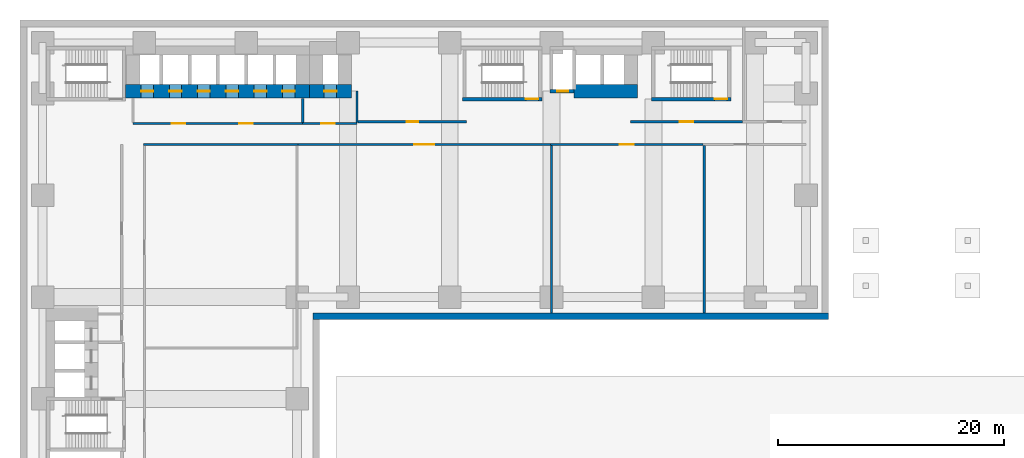
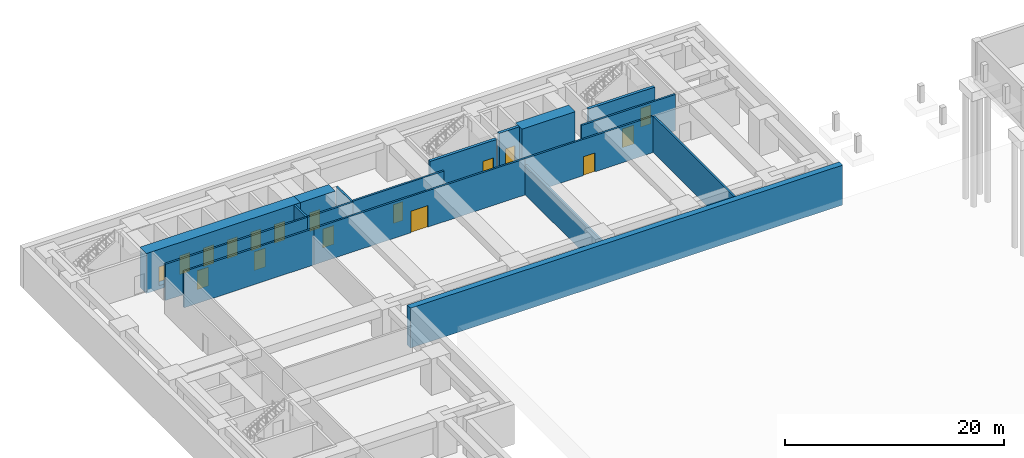
# One storey, part 5 of 12: 18 walls, 17 doors, 17 openings.
"""IFC4 building model written with IfcOpenShell, lengths in metres."""

import ifcopenshell
import ifcopenshell.guid

model = None  # the IFC model being written
_history = None  # IfcOwnerHistory: only IFC2X3 demands one
_inside = {}  # id of a spatial element -> (the spatial element, [elements in it])
_under = {}  # id of a project, library or spatial element -> (it, [spatial elements below it])
_declared = {}  # id of a project -> (the project, [libraries it declares])
_typed = {}  # id of a type object -> (the type object, [elements of that type])
_made_of = {}  # id of a material, layer set ... -> (it, [elements and type objects made of it])


def new_model(schema):
    """Start an empty IFC model of exactly this schema.

    Asked for "IFC4X3", IfcOpenShell would pick the latest addendum, in which some entities
    have other attributes; the version numbers below select the first issue.
    IFC2X3 requires an IfcOwnerHistory on every rooted entity: one is made here for all.
    """
    global model, _history
    if schema == "IFC4X3":
        model = ifcopenshell.file(schema_version=(4, 3, 0, 0))
    else:
        model = ifcopenshell.file(schema=schema)
    _inside.clear()
    _under.clear()
    _declared.clear()
    _typed.clear()
    _made_of.clear()
    _history = None
    if model.schema == "IFC2X3":
        org = make("IfcOrganization", Name="unknown")
        user = make(
            "IfcPersonAndOrganization",
            ThePerson=make("IfcPerson", FamilyName="unknown"),
            TheOrganization=org,
        )
        app = make(
            "IfcApplication",
            ApplicationDeveloper=org,
            Version="unknown",
            ApplicationFullName="unknown",
            ApplicationIdentifier="unknown",
        )
        _history = make(
            "IfcOwnerHistory",
            OwningUser=user,
            OwningApplication=app,
            ChangeAction="ADDED",
            CreationDate=0,
        )
    return model


def make(cls, **values):
    """One entity of the class cls with the attributes given. An attribute that is None is left unset."""
    return model.create_entity(
        cls, **{name: value for name, value in values.items() if value is not None}
    )


def rooted(cls, **values):
    """An entity with a GlobalId (a new one), such as an element, a storey or a relation."""
    return make(cls, GlobalId=ifcopenshell.guid.new(), OwnerHistory=_history, **values)


def si_unit(unit_type, name, prefix=None):
    """IfcSIUnit, for example si_unit("LENGTHUNIT", "METRE", prefix="MILLI")."""
    return make("IfcSIUnit", UnitType=unit_type, Prefix=prefix, Name=name)


def assignment(units):
    """IfcUnitAssignment: the units of a project."""
    return None if units is None else make("IfcUnitAssignment", Units=units)


def point(xyz):
    """IfcCartesianPoint."""
    return None if xyz is None else make("IfcCartesianPoint", Coordinates=xyz)


def direction(xyz):
    """IfcDirection."""
    return None if xyz is None else make("IfcDirection", DirectionRatios=xyz)


def frame(location, z_axis=None, x_axis=None):
    """IfcAxis2Placement3D, a coordinate frame: its origin and axes. An axis left out is left unset."""
    return make(
        "IfcAxis2Placement3D",
        Location=point(location),
        Axis=direction(z_axis),
        RefDirection=direction(x_axis),
    )


def frame_2d(location, x_axis=None):
    """IfcAxis2Placement2D, a coordinate frame in the plane: its origin and x axis."""
    return make(
        "IfcAxis2Placement2D", Location=point(location), RefDirection=direction(x_axis)
    )


def origin():
    """The frame at (0, 0, 0) with its axes left unset."""
    return frame((0.0, 0.0, 0.0))


def place(relative_to, where):
    """IfcLocalPlacement: puts the frame where relative to a parent placement (None: the world)."""
    return make(
        "IfcLocalPlacement", PlacementRelTo=relative_to, RelativePlacement=where
    )


def context(
    kind, dimensions, precision=None, world=None, true_north=None, identifier=None
):
    """IfcGeometricRepresentationContext, for example the 3D "Model" context."""
    return make(
        "IfcGeometricRepresentationContext",
        ContextIdentifier=identifier,
        ContextType=kind,
        CoordinateSpaceDimension=dimensions,
        Precision=precision,
        WorldCoordinateSystem=world,
        TrueNorth=true_north,
    )


def subcontext(parent, identifier, kind, view, scale=None):
    """IfcGeometricRepresentationSubContext, for example "Body" below "Model"."""
    return make(
        "IfcGeometricRepresentationSubContext",
        ContextIdentifier=identifier,
        ContextType=kind,
        ParentContext=parent,
        TargetScale=scale,
        TargetView=view,
    )


def project(units=None, contexts=None):
    """IfcProject with its units and contexts."""
    return rooted(
        "IfcProject",
        Name="project",
        RepresentationContexts=contexts,
        UnitsInContext=assignment(units),
    )


def spatial(cls, under=None, at=None, **own):
    """A site, building, storey or space (cls), placed at a placement, below another one or the project."""
    s = rooted(cls, ObjectPlacement=at, **own)
    if under is not None:
        _under.setdefault(under.id(), (under, []))[1].append(s)
    return s


def profile(cls, at=None, kind="AREA", **sizes):
    """A parametric profile (cls). Its sizes go by their IFC names, for example OverallWidth=200.0."""
    return make(cls, ProfileType=kind, Position=at, **sizes)


def rectangle(**sizes):
    """IfcRectangleProfileDef."""
    return profile("IfcRectangleProfileDef", **sizes)


def extrude(swept, where, along, depth):
    """IfcExtrudedAreaSolid: the profile swept, set in the frame where, extruded along a direction by depth."""
    return make(
        "IfcExtrudedAreaSolid",
        SweptArea=swept,
        Position=where,
        ExtrudedDirection=direction(along),
        Depth=depth,
    )


def shape(context_of_items, identifier, shape_type, items):
    """IfcShapeRepresentation: the items that make up one representation, for example the "Body"."""
    return make(
        "IfcShapeRepresentation",
        ContextOfItems=context_of_items,
        RepresentationIdentifier=identifier,
        RepresentationType=shape_type,
        Items=items,
    )


def material(Name=None, Category=None):
    """IfcMaterial."""
    return make("IfcMaterial", Name=Name, Category=Category)


def layer(
    of_material, thickness, ventilated=None, Name=None, Category=None, Priority=None
):
    """IfcMaterialLayer: one layer of a wall or slab, of a material (None: an air gap)."""
    return make(
        "IfcMaterialLayer",
        Material=of_material,
        LayerThickness=thickness,
        IsVentilated=ventilated,
        Name=Name,
        Category=Category,
        Priority=Priority,
    )


def layer_set(layers, Name=None):
    """IfcMaterialLayerSet."""
    return make("IfcMaterialLayerSet", MaterialLayers=layers, LayerSetName=Name)


def made_of(thing, what):
    """Note that an element or type object is made of a material, layer set ...; save() writes the relation."""
    if what is not None:
        _made_of.setdefault(what.id(), (what, []))[1].append(thing)
    return thing


def type_object(cls, material=None, **own):
    """A type object (cls), such as IfcWallType, which elements share."""
    return made_of(rooted(cls, **own), material)


def element(
    cls,
    number,
    at=None,
    inside=None,
    cuts=None,
    type_object=None,
    material=None,
    context=None,
    identifier="Body",
    shape_type=None,
    held_by="IfcProductDefinitionShape",
    body=None,
    shapes=None,
    **own,
):
    """One element of the class cls, such as IfcWall. Its Tag is "e" and its number.

    at: its placement. inside: the storey or other place that contains it. cuts: it is an
    opening in that element (IfcRelVoidsElement). A single representation is given by context,
    identifier, shape_type and body (its items); several are given by shapes. held_by: the class
    of the entity that holds the representations. save() writes the other relations.
    """
    e = rooted(cls, Tag="e%d" % number, ObjectPlacement=at, **own)
    if body is not None:
        shapes = [shape(context, identifier, shape_type, body)]
    if shapes is not None:
        e.Representation = make(held_by, Representations=shapes)
    if inside is not None:
        _inside.setdefault(inside.id(), (inside, []))[1].append(e)
    if cuts is not None:
        rooted(
            "IfcRelVoidsElement", RelatingBuildingElement=cuts, RelatedOpeningElement=e
        )
    if type_object is not None:
        _typed.setdefault(type_object.id(), (type_object, []))[1].append(e)
    return made_of(e, material)


def fill(opening, filler):
    """IfcRelFillsElement: the door or window that sits in an opening."""
    return rooted(
        "IfcRelFillsElement",
        RelatingOpeningElement=opening,
        RelatedBuildingElement=filler,
    )


def aggregate(whole, parts):
    """IfcRelAggregates: a whole, such as a stair, and the parts it consists of."""
    return rooted("IfcRelAggregates", RelatingObject=whole, RelatedObjects=parts)


def save(model, path):
    """Write the relations noted so far, then the file.

    IfcRelAggregates (storeys below a building ...), IfcRelContainedInSpatialStructure (elements
    in a storey), IfcRelDefinesByType, IfcRelAssociatesMaterial and IfcRelDeclares: one each for
    every whole, place, type object, material and project.
    """
    for whole, parts in _under.values():
        aggregate(whole, parts)
    for where, things in _inside.values():
        rooted(
            "IfcRelContainedInSpatialStructure",
            RelatedElements=things,
            RelatingStructure=where,
        )
    for kind, things in _typed.values():
        rooted("IfcRelDefinesByType", RelatedObjects=things, RelatingType=kind)
    for what, things in _made_of.values():
        rooted("IfcRelAssociatesMaterial", RelatedObjects=things, RelatingMaterial=what)
    for by, libraries in _declared.values():
        rooted("IfcRelDeclares", RelatingContext=by, RelatedDefinitions=libraries)
    model.write(path)


model = new_model("IFC4")

# Units and contexts
model_context = context("Model", 3, precision=1e-05, world=origin(), true_north=direction((0.0, 1.0)))
body_context = subcontext(model_context, "Body", "Model", "MODEL_VIEW")
ifc_project = project(units=[si_unit("LENGTHUNIT", "METRE"), si_unit("AREAUNIT", "SQUARE_METRE"), si_unit("VOLUMEUNIT", "CUBIC_METRE"), si_unit("PLANEANGLEUNIT", "RADIAN"), si_unit("MASSUNIT", "GRAM", prefix="KILO")], contexts=[model_context])

# Site, building, storey
site_placement = place(None, origin())
site = spatial("IfcSite", under=ifc_project, at=site_placement, CompositionType="ELEMENT")
building_placement = place(site_placement, origin())
building = spatial("IfcBuilding", under=site, at=building_placement, Name="Firuza Court", CompositionType="ELEMENT")
storey_placement = place(building_placement, frame((0.0, 0.0, -4.5)))
storey = spatial("IfcBuildingStorey", under=building, at=storey_placement, Name="B1", CompositionType="ELEMENT", Elevation=-4.5)

# Wall, openings, doors
ifc_material_1 = material(Name="Concrete C35/45", Category="concrete")
ifc_layer_1 = layer(ifc_material_1, 1.199951171875)
ifc_layer_set_1 = layer_set([ifc_layer_1], Name="Concrete C35/45")
wall_type_1 = type_object("IfcWallType", Name="Basement core wall 1200", PredefinedType="SHEAR", material=ifc_layer_set_1)
wall_1_placement = place(storey_placement, frame((7.35009765625, 54.199951171875, -0.39990234375), z_axis=(0.0, 0.0, 1.0), x_axis=(1.0, 0.0, 0.0)))
wall_1 = element("IfcWall", 1, at=wall_1_placement, inside=storey, type_object=wall_type_1, Name="Core wall B1 016", PredefinedType="SHEAR", context=body_context, shape_type="SweptSolid", body=[
    extrude(rectangle(XDim=16.25, YDim=1.199951171875, at=frame_2d((8.125, 0.0))), origin(), (0.0, 0.0, 1.0), 4.449951171875),
])
opening_1_placement = place(wall_1_placement, frame((1.35009765625, 0.0, 0.39990234375)))
opening_1 = element("IfcOpeningElement", 2, at=opening_1_placement, cuts=wall_1, Name="Opening LD-LB1-B1", PredefinedType="OPENING", context=body_context, shape_type="SweptSolid", body=[
    extrude(rectangle(XDim=1.10009765625, YDim=2.10009765625, at=frame_2d((0.550048828125, 1.050048828125))), frame((0.0, 0.61181640625, 0.0), z_axis=(0.0, -1.0, 0.0), x_axis=(1.0, 0.0, 0.0)), (0.0, 0.0, 1.0), 1.223876953125),
])
opening_2_placement = place(wall_1_placement, frame((3.85009765625, 0.0, 0.39990234375)))
opening_2 = element("IfcOpeningElement", 3, at=opening_2_placement, cuts=wall_1, Name="Opening LD-LB2-B1", PredefinedType="OPENING", context=body_context, shape_type="SweptSolid", body=[
    extrude(rectangle(XDim=1.10009765625, YDim=2.10009765625, at=frame_2d((0.550048828125, 1.050048828125))), frame((0.0, 0.61181640625, 0.0), z_axis=(0.0, -1.0, 0.0), x_axis=(1.0, 0.0, 0.0)), (0.0, 0.0, 1.0), 1.223876953125),
])
opening_3_placement = place(wall_1_placement, frame((6.35009765625, 0.0, 0.39990234375)))
opening_3 = element("IfcOpeningElement", 4, at=opening_3_placement, cuts=wall_1, Name="Opening LD-LB3-B1", PredefinedType="OPENING", context=body_context, shape_type="SweptSolid", body=[
    extrude(rectangle(XDim=1.10009765625, YDim=2.10009765625, at=frame_2d((0.550048828125, 1.050048828125))), frame((0.0, 0.61181640625, 0.0), z_axis=(0.0, -1.0, 0.0), x_axis=(1.0, 0.0, 0.0)), (0.0, 0.0, 1.0), 1.223876953125),
])
opening_4_placement = place(wall_1_placement, frame((8.85009765625, 0.0, 0.39990234375)))
opening_4 = element("IfcOpeningElement", 5, at=opening_4_placement, cuts=wall_1, Name="Opening LD-LB4-B1", PredefinedType="OPENING", context=body_context, shape_type="SweptSolid", body=[
    extrude(rectangle(XDim=1.10009765625, YDim=2.10009765625, at=frame_2d((0.550048828125, 1.050048828125))), frame((0.0, 0.61181640625, 0.0), z_axis=(0.0, -1.0, 0.0), x_axis=(1.0, 0.0, 0.0)), (0.0, 0.0, 1.0), 1.223876953125),
])
opening_5_placement = place(wall_1_placement, frame((11.35009765625, 0.0, 0.39990234375)))
opening_5 = element("IfcOpeningElement", 6, at=opening_5_placement, cuts=wall_1, Name="Opening LD-LB5-B1", PredefinedType="OPENING", context=body_context, shape_type="SweptSolid", body=[
    extrude(rectangle(XDim=1.10009765625, YDim=2.10009765625, at=frame_2d((0.550048828125, 1.050048828125))), frame((0.0, 0.61181640625, 0.0), z_axis=(0.0, -1.0, 0.0), x_axis=(1.0, 0.0, 0.0)), (0.0, 0.0, 1.0), 1.223876953125),
])
opening_6_placement = place(wall_1_placement, frame((13.85009765625, 0.0, 0.39990234375)))
opening_6 = element("IfcOpeningElement", 7, at=opening_6_placement, cuts=wall_1, Name="Opening LD-LB6-B1", PredefinedType="OPENING", context=body_context, shape_type="SweptSolid", body=[
    extrude(rectangle(XDim=1.10009765625, YDim=2.10009765625, at=frame_2d((0.550048828125, 1.050048828125))), frame((0.0, 0.61181640625, 0.0), z_axis=(0.0, -1.0, 0.0), x_axis=(1.0, 0.0, 0.0)), (0.0, 0.0, 1.0), 1.223876953125),
])
ifc_material_2 = material(Name="Stainless steel 1.4301 door leaf", Category="steel")
door_type_1 = type_object("IfcDoorType", Name="Lift landing door 1100", OperationType="SLIDING_TO_LEFT", PredefinedType="DOOR", material=ifc_material_2)
door_1_placement = place(opening_1_placement, origin())
door_1 = element("IfcDoor", 8, at=door_1_placement, inside=storey, type_object=door_type_1, Name="Landing door LB1", OperationType="SLIDING_TO_LEFT", OverallHeight=2.10009765625, OverallWidth=1.10009765625, PredefinedType="DOOR", context=body_context, shape_type="SweptSolid", body=[
    extrude(rectangle(XDim=1.10009765625, YDim=2.10009765625, at=frame_2d((0.550048828125, 1.050048828125))), frame((0.0, 0.02490234375, 0.0), z_axis=(0.0, -1.0, 0.0), x_axis=(1.0, 0.0, 0.0)), (0.0, 0.0, 1.0), 0.050048828125),
])
fill(opening_1, door_1)
door_2_placement = place(opening_2_placement, origin())
door_2 = element("IfcDoor", 9, at=door_2_placement, inside=storey, type_object=door_type_1, Name="Landing door LB2", OperationType="SLIDING_TO_LEFT", OverallHeight=2.10009765625, OverallWidth=1.10009765625, PredefinedType="DOOR", context=body_context, shape_type="SweptSolid", body=[
    extrude(rectangle(XDim=1.10009765625, YDim=2.10009765625, at=frame_2d((0.550048828125, 1.050048828125))), frame((0.0, 0.02490234375, 0.0), z_axis=(0.0, -1.0, 0.0), x_axis=(1.0, 0.0, 0.0)), (0.0, 0.0, 1.0), 0.050048828125),
])
fill(opening_2, door_2)
door_3_placement = place(opening_3_placement, origin())
door_3 = element("IfcDoor", 10, at=door_3_placement, inside=storey, type_object=door_type_1, Name="Landing door LB3", OperationType="SLIDING_TO_LEFT", OverallHeight=2.10009765625, OverallWidth=1.10009765625, PredefinedType="DOOR", context=body_context, shape_type="SweptSolid", body=[
    extrude(rectangle(XDim=1.10009765625, YDim=2.10009765625, at=frame_2d((0.550048828125, 1.050048828125))), frame((0.0, 0.02490234375, 0.0), z_axis=(0.0, -1.0, 0.0), x_axis=(1.0, 0.0, 0.0)), (0.0, 0.0, 1.0), 0.050048828125),
])
fill(opening_3, door_3)
door_4_placement = place(opening_4_placement, origin())
door_4 = element("IfcDoor", 11, at=door_4_placement, inside=storey, type_object=door_type_1, Name="Landing door LB4", OperationType="SLIDING_TO_LEFT", OverallHeight=2.10009765625, OverallWidth=1.10009765625, PredefinedType="DOOR", context=body_context, shape_type="SweptSolid", body=[
    extrude(rectangle(XDim=1.10009765625, YDim=2.10009765625, at=frame_2d((0.550048828125, 1.050048828125))), frame((0.0, 0.02490234375, 0.0), z_axis=(0.0, -1.0, 0.0), x_axis=(1.0, 0.0, 0.0)), (0.0, 0.0, 1.0), 0.050048828125),
])
fill(opening_4, door_4)
door_5_placement = place(opening_5_placement, origin())
door_5 = element("IfcDoor", 12, at=door_5_placement, inside=storey, type_object=door_type_1, Name="Landing door LB5", OperationType="SLIDING_TO_LEFT", OverallHeight=2.10009765625, OverallWidth=1.10009765625, PredefinedType="DOOR", context=body_context, shape_type="SweptSolid", body=[
    extrude(rectangle(XDim=1.10009765625, YDim=2.10009765625, at=frame_2d((0.550048828125, 1.050048828125))), frame((0.0, 0.02490234375, 0.0), z_axis=(0.0, -1.0, 0.0), x_axis=(1.0, 0.0, 0.0)), (0.0, 0.0, 1.0), 0.050048828125),
])
fill(opening_5, door_5)
door_6_placement = place(opening_6_placement, origin())
door_6 = element("IfcDoor", 13, at=door_6_placement, inside=storey, type_object=door_type_1, Name="Landing door LB6", OperationType="SLIDING_TO_LEFT", OverallHeight=2.10009765625, OverallWidth=1.10009765625, PredefinedType="DOOR", context=body_context, shape_type="SweptSolid", body=[
    extrude(rectangle(XDim=1.10009765625, YDim=2.10009765625, at=frame_2d((0.550048828125, 1.050048828125))), frame((0.0, 0.02490234375, 0.0), z_axis=(0.0, -1.0, 0.0), x_axis=(1.0, 0.0, 0.0)), (0.0, 0.0, 1.0), 0.050048828125),
])
fill(opening_6, door_6)

# Wall, opening, door
wall_2_placement = place(storey_placement, frame((23.60009765625, 54.199951171875, -0.39990234375), z_axis=(0.0, 0.0, 1.0), x_axis=(1.0, 0.0, 0.0)))
wall_2 = element("IfcWall", 14, at=wall_2_placement, inside=storey, type_object=wall_type_1, Name="Core wall B1 017", PredefinedType="SHEAR", context=body_context, shape_type="SweptSolid", body=[
    extrude(rectangle(XDim=3.699951171875, YDim=1.199951171875, at=frame_2d((1.85009765625, 0.0))), origin(), (0.0, 0.0, 1.0), 4.449951171875),
])
opening_7_placement = place(wall_2_placement, frame((1.300048828125, 0.0, 0.39990234375)))
opening_7 = element("IfcOpeningElement", 15, at=opening_7_placement, cuts=wall_2, Name="Opening LD-FL3-B1", PredefinedType="OPENING", context=body_context, shape_type="SweptSolid", body=[
    extrude(rectangle(XDim=1.10009765625, YDim=2.10009765625, at=frame_2d((0.550048828125, 1.050048828125))), frame((0.0, 0.61181640625, 0.0), z_axis=(0.0, -1.0, 0.0), x_axis=(1.0, 0.0, 0.0)), (0.0, 0.0, 1.0), 1.223876953125),
])
door_7_placement = place(opening_7_placement, origin())
door_7 = element("IfcDoor", 16, at=door_7_placement, inside=storey, type_object=door_type_1, Name="Landing door FL3", OperationType="SLIDING_TO_LEFT", OverallHeight=2.10009765625, OverallWidth=1.10009765625, PredefinedType="DOOR", context=body_context, shape_type="SweptSolid", body=[
    extrude(rectangle(XDim=1.10009765625, YDim=2.10009765625, at=frame_2d((0.550048828125, 1.050048828125))), frame((0.0, 0.02490234375, 0.0), z_axis=(0.0, -1.0, 0.0), x_axis=(1.0, 0.0, 0.0)), (0.0, 0.0, 1.0), 0.050048828125),
])
fill(opening_7, door_7)

# Wall
wall_3_placement = place(storey_placement, frame((47.0, 54.199951171875, -0.39990234375), z_axis=(0.0, 0.0, 1.0), x_axis=(1.0, 0.0, 0.0)))
element("IfcWall", 17, at=wall_3_placement, inside=storey, type_object=wall_type_1, Name="Core wall B1 019", PredefinedType="SHEAR", context=body_context, shape_type="SweptSolid", body=[
    extrude(rectangle(XDim=5.60009765625, YDim=1.199951171875, at=frame_2d((2.800048828125, 0.0))), origin(), (0.0, 0.0, 1.0), 4.449951171875),
])

# Wall, opening, door
ifc_layer_2 = layer(ifc_material_1, 0.300048828125)
ifc_layer_set_2 = layer_set([ifc_layer_2], Name="Concrete C35/45")
wall_type_2 = type_object("IfcWallType", Name="Basement core wall 300", PredefinedType="SHEAR", material=ifc_layer_set_2)
wall_4_placement = place(storey_placement, frame((37.14990234375, 53.5, -0.39990234375), z_axis=(0.0, 0.0, 1.0), x_axis=(1.0, 0.0, 0.0)))
wall_4 = element("IfcWall", 18, at=wall_4_placement, inside=storey, type_object=wall_type_2, Name="Core wall B1 014", PredefinedType="SHEAR", context=body_context, shape_type="SweptSolid", body=[
    extrude(rectangle(XDim=7.0, YDim=0.300048828125, at=frame_2d((3.5, 0.0))), origin(), (0.0, 0.0, 1.0), 4.449951171875),
])
opening_8_placement = place(wall_4_placement, frame((5.580078125, 0.0, 0.39990234375)))
opening_8 = element("IfcOpeningElement", 19, at=opening_8_placement, cuts=wall_4, Name="Opening DB1009", PredefinedType="OPENING", context=body_context, shape_type="SweptSolid", body=[
    extrude(rectangle(XDim=1.10009765625, YDim=2.10009765625, at=frame_2d((0.550048828125, 1.050048828125))), frame((0.0, 0.162109375, 0.0), z_axis=(0.0, -1.0, 0.0), x_axis=(1.0, 0.0, 0.0)), (0.0, 0.0, 1.0), 0.323974609375),
])
ifc_material_3 = material(Name="Timber door leaf in hardwood frame", Category="wood")
door_type_2 = type_object("IfcDoorType", Name="Stair door 1100", OperationType="SINGLE_SWING_LEFT", PredefinedType="DOOR", material=ifc_material_3)
door_8_placement = place(opening_8_placement, frame((1.10009765625, 0.0, 0.0), z_axis=(0.0, 0.0, 1.0), x_axis=(-1.0, 0.0, 0.0)))
door_8 = element("IfcDoor", 20, at=door_8_placement, inside=storey, type_object=door_type_2, Name="Stair door S1", OperationType="SINGLE_SWING_RIGHT", OverallHeight=2.10009765625, OverallWidth=1.10009765625, PredefinedType="DOOR", context=body_context, shape_type="SweptSolid", body=[
    extrude(rectangle(XDim=1.10009765625, YDim=2.10009765625, at=frame_2d((0.550048828125, 1.050048828125))), frame((0.0, 0.02490234375, 0.0), z_axis=(0.0, -1.0, 0.0), x_axis=(1.0, 0.0, 0.0)), (0.0, 0.0, 1.0), 0.050048828125),
])
fill(opening_8, door_8)

wall_5_placement = place(storey_placement, frame((53.85009765625, 53.5, -0.39990234375), z_axis=(0.0, 0.0, 1.0), x_axis=(1.0, 0.0, 0.0)))
wall_5 = element("IfcWall", 21, at=wall_5_placement, inside=storey, type_object=wall_type_2, Name="Core wall B1 015", PredefinedType="SHEAR", context=body_context, shape_type="SweptSolid", body=[
    extrude(rectangle(XDim=7.0, YDim=0.300048828125, at=frame_2d((3.5, 0.0))), origin(), (0.0, 0.0, 1.0), 4.449951171875),
])
opening_9_placement = place(wall_5_placement, frame((5.580078125, 0.0, 0.39990234375)))
opening_9 = element("IfcOpeningElement", 22, at=opening_9_placement, cuts=wall_5, Name="Opening DB1013", PredefinedType="OPENING", context=body_context, shape_type="SweptSolid", body=[
    extrude(rectangle(XDim=1.10009765625, YDim=2.10009765625, at=frame_2d((0.550048828125, 1.050048828125))), frame((0.0, 0.162109375, 0.0), z_axis=(0.0, -1.0, 0.0), x_axis=(1.0, 0.0, 0.0)), (0.0, 0.0, 1.0), 0.323974609375),
])
door_9_placement = place(opening_9_placement, origin())
door_9 = element("IfcDoor", 23, at=door_9_placement, inside=storey, type_object=door_type_2, Name="Stair door S4", OperationType="SINGLE_SWING_RIGHT", OverallHeight=2.10009765625, OverallWidth=1.10009765625, PredefinedType="DOOR", context=body_context, shape_type="SweptSolid", body=[
    extrude(rectangle(XDim=1.10009765625, YDim=2.10009765625, at=frame_2d((0.550048828125, 1.050048828125))), frame((0.0, 0.02490234375, 0.0), z_axis=(0.0, -1.0, 0.0), x_axis=(1.0, 0.0, 0.0)), (0.0, 0.0, 1.0), 0.050048828125),
])
fill(opening_9, door_9)

wall_6_placement = place(storey_placement, frame((44.85009765625, 54.199951171875, -0.39990234375), z_axis=(0.0, 0.0, 1.0), x_axis=(1.0, 0.0, 0.0)))
wall_6 = element("IfcWall", 24, at=wall_6_placement, inside=storey, type_object=wall_type_2, Name="Core wall B1 018", PredefinedType="SHEAR", context=body_context, shape_type="SweptSolid", body=[
    extrude(rectangle(XDim=2.14990234375, YDim=0.300048828125, at=frame_2d((1.074951171875, 0.0))), origin(), (0.0, 0.0, 1.0), 4.449951171875),
])
opening_10_placement = place(wall_6_placement, frame((0.64990234375, 0.0, 0.39990234375)))
opening_10 = element("IfcOpeningElement", 25, at=opening_10_placement, cuts=wall_6, Name="Opening DB1007", PredefinedType="OPENING", context=body_context, shape_type="SweptSolid", body=[
    extrude(rectangle(XDim=1.0, YDim=2.10009765625, at=frame_2d((0.5, 1.050048828125))), frame((0.0, 0.162109375, 0.0), z_axis=(0.0, -1.0, 0.0), x_axis=(1.0, 0.0, 0.0)), (0.0, 0.0, 1.0), 0.323974609375),
])
ifc_material_4 = material(Name="Timber door leaf in hardwood frame", Category="wood")
door_type_3 = type_object("IfcDoorType", Name="Riser door 1000", OperationType="SINGLE_SWING_LEFT", PredefinedType="DOOR", material=ifc_material_4)
door_10_placement = place(opening_10_placement, frame((1.0, 0.0, 0.0), z_axis=(0.0, 0.0, 1.0), x_axis=(-1.0, 0.0, 0.0)))
door_10 = element("IfcDoor", 26, at=door_10_placement, inside=storey, type_object=door_type_3, Name="Riser door R3", OperationType="SINGLE_SWING_RIGHT", OverallHeight=2.10009765625, OverallWidth=1.0, PredefinedType="DOOR", context=body_context, shape_type="SweptSolid", body=[
    extrude(rectangle(XDim=1.0, YDim=2.10009765625, at=frame_2d((0.5, 1.050048828125))), frame((0.0, 0.02490234375, 0.0), z_axis=(0.0, -1.0, 0.0), x_axis=(1.0, 0.0, 0.0)), (0.0, 0.0, 1.0), 0.050048828125),
])
fill(opening_10, door_10)

# Walls
ifc_material_5 = material(Name="Blockwork, fire-rated", Category="masonry")
ifc_layer_3 = layer(ifc_material_5, 0.199951171875)
ifc_layer_set_3 = layer_set([ifc_layer_3], Name="Blockwork, fire-rated")
wall_type_3 = type_object("IfcWallType", Name="Plant room wall 200", PredefinedType="PARTITIONING", material=ifc_layer_set_3)
wall_7_placement = place(storey_placement, frame((45.0, 34.60009765625, 0.0), z_axis=(0.0, 0.0, 1.0), x_axis=(0.0, 1.0, 0.0)))
element("IfcWall", 27, at=wall_7_placement, inside=storey, type_object=wall_type_3, Name="Plant room wall 200 B1", PredefinedType="PARTITIONING", context=body_context, shape_type="SweptSolid", body=[
    extrude(rectangle(XDim=14.7998046875, YDim=0.199951171875, at=frame_2d((7.39990234375, 0.0))), origin(), (0.0, 0.0, 1.0), 3.35009765625),
])
wall_8_placement = place(storey_placement, frame((8.89990234375, 49.5, 0.0), z_axis=(0.0, 0.0, 1.0), x_axis=(1.0, 0.0, 0.0)))
element("IfcWall", 28, at=wall_8_placement, inside=storey, type_object=wall_type_3, Name="Plant room wall 200 B1", PredefinedType="PARTITIONING", context=body_context, shape_type="SweptSolid", body=[
    extrude(rectangle(XDim=13.7001953125, YDim=0.199951171875, at=frame_2d((6.85009765625, 0.0))), origin(), (0.0, 0.0, 1.0), 4.050048828125),
])

# Wall, opening, door
wall_9_placement = place(storey_placement, frame((22.60009765625, 49.5, 0.0), z_axis=(0.0, 0.0, 1.0), x_axis=(1.0, 0.0, 0.0)))
wall_9 = element("IfcWall", 29, at=wall_9_placement, inside=storey, type_object=wall_type_3, Name="Plant room wall 200 B1", PredefinedType="PARTITIONING", context=body_context, shape_type="SweptSolid", body=[
    extrude(rectangle(XDim=22.2998046875, YDim=0.199951171875, at=frame_2d((11.14990234375, 0.0))), origin(), (0.0, 0.0, 1.0), 4.050048828125),
])
opening_11_placement = place(wall_9_placement, frame((10.25, 0.0, 0.0)))
opening_11 = element("IfcOpeningElement", 30, at=opening_11_placement, cuts=wall_9, Name="Opening DB1019", PredefinedType="OPENING", context=body_context, shape_type="SweptSolid", body=[
    extrude(rectangle(XDim=1.800048828125, YDim=2.39990234375, at=frame_2d((0.89990234375, 1.199951171875))), frame((0.0, 0.11181640625, 0.0), z_axis=(0.0, -1.0, 0.0), x_axis=(1.0, 0.0, 0.0)), (0.0, 0.0, 1.0), 0.223876953125),
])
ifc_material_6 = material(Name="Timber door leaf in hardwood frame", Category="wood")
door_type_4 = type_object("IfcDoorType", Name="Double door 1800 EI 60", OperationType="DOUBLE_DOOR_SINGLE_SWING", PredefinedType="DOOR", material=ifc_material_6)
door_11_placement = place(opening_11_placement, origin())
door_11 = element("IfcDoor", 31, at=door_11_placement, inside=storey, type_object=door_type_4, Name="Double door", OperationType="DOUBLE_DOOR_SINGLE_SWING", OverallHeight=2.39990234375, OverallWidth=1.800048828125, PredefinedType="DOOR", context=body_context, shape_type="SweptSolid", body=[
    extrude(rectangle(XDim=1.800048828125, YDim=2.39990234375, at=frame_2d((0.89990234375, 1.199951171875))), frame((0.0, 0.02490234375, 0.0), z_axis=(0.0, -1.0, 0.0), x_axis=(1.0, 0.0, 0.0)), (0.0, 0.0, 1.0), 0.050048828125),
])
fill(opening_11, door_11)

wall_10_placement = place(storey_placement, frame((44.89990234375, 49.5, 0.0), z_axis=(0.0, 0.0, 1.0), x_axis=(1.0, 0.0, 0.0)))
wall_10 = element("IfcWall", 32, at=wall_10_placement, inside=storey, type_object=wall_type_3, Name="Plant room wall 200 B1", PredefinedType="PARTITIONING", context=body_context, shape_type="SweptSolid", body=[
    extrude(rectangle(XDim=13.5, YDim=0.199951171875, at=frame_2d((6.75, 0.0))), origin(), (0.0, 0.0, 1.0), 4.050048828125),
])
opening_12_placement = place(wall_10_placement, frame((6.14990234375, 0.0, 0.0)))
opening_12 = element("IfcOpeningElement", 33, at=opening_12_placement, cuts=wall_10, Name="Opening DB1020", PredefinedType="OPENING", context=body_context, shape_type="SweptSolid", body=[
    extrude(rectangle(XDim=1.199951171875, YDim=2.10009765625, at=frame_2d((0.60009765625, 1.050048828125))), frame((0.0, 0.11181640625, 0.0), z_axis=(0.0, -1.0, 0.0), x_axis=(1.0, 0.0, 0.0)), (0.0, 0.0, 1.0), 0.223876953125),
])
ifc_material_7 = material(Name="Timber door leaf in hardwood frame", Category="wood")
door_type_5 = type_object("IfcDoorType", Name="Plant room door 1200", OperationType="SINGLE_SWING_LEFT", PredefinedType="DOOR", material=ifc_material_7)
door_12_placement = place(opening_12_placement, frame((1.199951171875, 0.0, 0.0), z_axis=(0.0, 0.0, 1.0), x_axis=(-1.0, 0.0, 0.0)))
door_12 = element("IfcDoor", 34, at=door_12_placement, inside=storey, type_object=door_type_5, Name="Plant door", OperationType="SINGLE_SWING_RIGHT", OverallHeight=2.10009765625, OverallWidth=1.199951171875, PredefinedType="DOOR", context=body_context, shape_type="SweptSolid", body=[
    extrude(rectangle(XDim=1.199951171875, YDim=2.10009765625, at=frame_2d((0.60009765625, 1.050048828125))), frame((0.0, 0.02490234375, 0.0), z_axis=(0.0, -1.0, 0.0), x_axis=(1.0, 0.0, 0.0)), (0.0, 0.0, 1.0), 0.050048828125),
])
fill(opening_12, door_12)

# Wall
wall_11_placement = place(storey_placement, frame((58.5, 49.39990234375, 0.0), z_axis=(0.0, 0.0, 1.0), x_axis=(0.0, -1.0, 0.0)))
element("IfcWall", 35, at=wall_11_placement, inside=storey, type_object=wall_type_3, Name="Plant room wall 200 B1", PredefinedType="PARTITIONING", context=body_context, shape_type="SweptSolid", body=[
    extrude(rectangle(XDim=14.7998046875, YDim=0.199951171875, at=frame_2d((7.39990234375, 0.0))), origin(), (0.0, 0.0, 1.0), 4.050048828125),
])

# Wall, opening, door
wall_12_placement = place(storey_placement, frame((37.5, 51.5, 0.0), z_axis=(0.0, 0.0, 1.0), x_axis=(-1.0, 0.0, 0.0)))
wall_12 = element("IfcWall", 36, at=wall_12_placement, inside=storey, type_object=wall_type_3, Name="Plant room wall 200 B1", PredefinedType="PARTITIONING", context=body_context, shape_type="SweptSolid", body=[
    extrude(rectangle(XDim=9.60009765625, YDim=0.199951171875, at=frame_2d((4.800048828125, 0.0))), origin(), (0.0, 0.0, 1.0), 4.050048828125),
])
opening_13_placement = place(wall_12_placement, frame((4.300048828125, 0.0, 0.0)))
opening_13 = element("IfcOpeningElement", 37, at=opening_13_placement, cuts=wall_12, Name="Opening DB1022", PredefinedType="OPENING", context=body_context, shape_type="SweptSolid", body=[
    extrude(rectangle(XDim=1.0, YDim=2.10009765625, at=frame_2d((0.5, 1.050048828125))), frame((0.0, 0.11181640625, 0.0), z_axis=(0.0, -1.0, 0.0), x_axis=(1.0, 0.0, 0.0)), (0.0, 0.0, 1.0), 0.223876953125),
])
ifc_material_8 = material(Name="Timber door leaf in hardwood frame", Category="wood")
door_type_6 = type_object("IfcDoorType", Name="Store door 1000", OperationType="SINGLE_SWING_LEFT", PredefinedType="DOOR", material=ifc_material_8)
door_13_placement = place(opening_13_placement, frame((1.0, 0.0, 0.0), z_axis=(0.0, 0.0, 1.0), x_axis=(-1.0, 0.0, 0.0)))
door_13 = element("IfcDoor", 38, at=door_13_placement, inside=storey, type_object=door_type_6, Name="Store door", OperationType="SINGLE_SWING_RIGHT", OverallHeight=2.10009765625, OverallWidth=1.0, PredefinedType="DOOR", context=body_context, shape_type="SweptSolid", body=[
    extrude(rectangle(XDim=1.0, YDim=2.10009765625, at=frame_2d((0.5, 1.050048828125))), frame((0.0, 0.02490234375, 0.0), z_axis=(0.0, -1.0, 0.0), x_axis=(1.0, 0.0, 0.0)), (0.0, 0.0, 1.0), 0.050048828125),
])
fill(opening_13, door_13)

wall_13_placement = place(storey_placement, frame((61.89990234375, 51.5, 0.0), z_axis=(0.0, 0.0, 1.0), x_axis=(-1.0, 0.0, 0.0)))
wall_13 = element("IfcWall", 39, at=wall_13_placement, inside=storey, type_object=wall_type_3, Name="Plant room wall 200 B1", PredefinedType="PARTITIONING", context=body_context, shape_type="SweptSolid", body=[
    extrude(rectangle(XDim=9.89990234375, YDim=0.199951171875, at=frame_2d((4.949951171875, 0.0))), origin(), (0.0, 0.0, 1.0), 4.050048828125),
])
opening_14_placement = place(wall_13_placement, frame((4.35009765625, 0.0, 0.0)))
opening_14 = element("IfcOpeningElement", 40, at=opening_14_placement, cuts=wall_13, Name="Opening DB1023", PredefinedType="OPENING", context=body_context, shape_type="SweptSolid", body=[
    extrude(rectangle(XDim=1.199951171875, YDim=2.10009765625, at=frame_2d((0.60009765625, 1.050048828125))), frame((0.0, 0.11181640625, 0.0), z_axis=(0.0, -1.0, 0.0), x_axis=(1.0, 0.0, 0.0)), (0.0, 0.0, 1.0), 0.223876953125),
])
door_14_placement = place(opening_14_placement, frame((1.199951171875, 0.0, 0.0), z_axis=(0.0, 0.0, 1.0), x_axis=(-1.0, 0.0, 0.0)))
door_14 = element("IfcDoor", 41, at=door_14_placement, inside=storey, type_object=door_type_5, Name="Plant door", OperationType="SINGLE_SWING_RIGHT", OverallHeight=2.10009765625, OverallWidth=1.199951171875, PredefinedType="DOOR", context=body_context, shape_type="SweptSolid", body=[
    extrude(rectangle(XDim=1.199951171875, YDim=2.10009765625, at=frame_2d((0.60009765625, 1.050048828125))), frame((0.0, 0.02490234375, 0.0), z_axis=(0.0, -1.0, 0.0), x_axis=(1.0, 0.0, 0.0)), (0.0, 0.0, 1.0), 0.050048828125),
])
fill(opening_14, door_14)

# Wall
ifc_layer_4 = layer(ifc_material_1, 0.60009765625)
ifc_layer_set_4 = layer_set([ifc_layer_4], Name="Concrete C35/45")
wall_type_4 = type_object("IfcWallType", Name="Retaining wall 600", PredefinedType="SOLIDWALL", material=ifc_layer_set_4)
wall_14_placement = place(storey_placement, frame((69.5, 34.300048828125, -0.39990234375), z_axis=(0.0, 0.0, 1.0), x_axis=(-1.0, 0.0, 0.0)))
element("IfcWall", 42, at=wall_14_placement, inside=storey, type_object=wall_type_4, Name="Basement retaining wall B1 04", PredefinedType="SOLIDWALL", context=body_context, shape_type="SweptSolid", body=[
    extrude(rectangle(XDim=45.60009765625, YDim=0.60009765625, at=frame_2d((22.800048828125, 0.0))), origin(), (0.0, 0.0, 1.0), 4.449951171875),
])

# Wall, openings, doors
ifc_layer_5 = layer(ifc_material_5, 0.199951171875)
ifc_layer_set_5 = layer_set([ifc_layer_5], Name="Blockwork, fire-rated")
wall_type_5 = type_object("IfcWallType", Name="Shaft wall 200", PredefinedType="PARTITIONING", material=ifc_layer_set_5)
wall_15_placement = place(storey_placement, frame((8.0, 51.35009765625, 0.0), z_axis=(0.0, 0.0, 1.0), x_axis=(1.0, 0.0, 0.0)))
wall_15 = element("IfcWall", 43, at=wall_15_placement, inside=storey, type_object=wall_type_5, Name="Shaft wall 200 B1", PredefinedType="PARTITIONING", context=body_context, shape_type="SweptSolid", body=[
    extrude(rectangle(XDim=15.0, YDim=0.199951171875, at=frame_2d((7.5, 0.0))), origin(), (0.0, 0.0, 1.0), 4.050048828125),
])
opening_15_placement = place(wall_15_placement, frame((3.39990234375, 0.0, 0.0)))
opening_15 = element("IfcOpeningElement", 44, at=opening_15_placement, cuts=wall_15, Name="Opening DB1003", PredefinedType="OPENING", context=body_context, shape_type="SweptSolid", body=[
    extrude(rectangle(XDim=1.199951171875, YDim=2.10009765625, at=frame_2d((0.60009765625, 1.050048828125))), frame((0.0, 0.11181640625, 0.0), z_axis=(0.0, -1.0, 0.0), x_axis=(1.0, 0.0, 0.0)), (0.0, 0.0, 1.0), 0.223876953125),
])
opening_16_placement = place(wall_15_placement, frame((9.39990234375, 0.0, 0.0)))
opening_16 = element("IfcOpeningElement", 45, at=opening_16_placement, cuts=wall_15, Name="Opening DB1004", PredefinedType="OPENING", context=body_context, shape_type="SweptSolid", body=[
    extrude(rectangle(XDim=1.199951171875, YDim=2.10009765625, at=frame_2d((0.60009765625, 1.050048828125))), frame((0.0, 0.11181640625, 0.0), z_axis=(0.0, -1.0, 0.0), x_axis=(1.0, 0.0, 0.0)), (0.0, 0.0, 1.0), 0.223876953125),
])
ifc_material_9 = material(Name="Timber door leaf in hardwood frame", Category="wood")
door_type_7 = type_object("IfcDoorType", Name="Lobby door 1200", OperationType="SINGLE_SWING_LEFT", PredefinedType="DOOR", material=ifc_material_9)
door_15_placement = place(opening_15_placement, origin())
door_15 = element("IfcDoor", 46, at=door_15_placement, inside=storey, type_object=door_type_7, Name="Lobby door", OperationType="SINGLE_SWING_LEFT", OverallHeight=2.10009765625, OverallWidth=1.199951171875, PredefinedType="DOOR", context=body_context, shape_type="SweptSolid", body=[
    extrude(rectangle(XDim=1.199951171875, YDim=2.10009765625, at=frame_2d((0.60009765625, 1.050048828125))), frame((0.0, 0.02490234375, 0.0), z_axis=(0.0, -1.0, 0.0), x_axis=(1.0, 0.0, 0.0)), (0.0, 0.0, 1.0), 0.050048828125),
])
fill(opening_15, door_15)
door_16_placement = place(opening_16_placement, origin())
door_16 = element("IfcDoor", 47, at=door_16_placement, inside=storey, type_object=door_type_7, Name="Lobby door", OperationType="SINGLE_SWING_RIGHT", OverallHeight=2.10009765625, OverallWidth=1.199951171875, PredefinedType="DOOR", context=body_context, shape_type="SweptSolid", body=[
    extrude(rectangle(XDim=1.199951171875, YDim=2.10009765625, at=frame_2d((0.60009765625, 1.050048828125))), frame((0.0, 0.02490234375, 0.0), z_axis=(0.0, -1.0, 0.0), x_axis=(1.0, 0.0, 0.0)), (0.0, 0.0, 1.0), 0.050048828125),
])
fill(opening_16, door_16)

# Wall
wall_16_placement = place(storey_placement, frame((23.0, 51.449951171875, 0.0), z_axis=(0.0, 0.0, 1.0), x_axis=(0.0, 1.0, 0.0)))
element("IfcWall", 48, at=wall_16_placement, inside=storey, type_object=wall_type_5, Name="Shaft wall 200 B1", PredefinedType="PARTITIONING", context=body_context, shape_type="SweptSolid", body=[
    extrude(rectangle(XDim=2.130126953125, YDim=0.199951171875, at=frame_2d((1.06494140625, 0.0))), origin(), (0.0, 0.0, 1.0), 4.050048828125),
])

# Wall, opening, door
wall_17_placement = place(storey_placement, frame((23.0, 51.35009765625, 0.0), z_axis=(0.0, 0.0, 1.0), x_axis=(1.0, 0.0, 0.0)))
wall_17 = element("IfcWall", 49, at=wall_17_placement, inside=storey, type_object=wall_type_5, Name="Shaft wall 200 B1", PredefinedType="PARTITIONING", context=body_context, shape_type="SweptSolid", body=[
    extrude(rectangle(XDim=4.800048828125, YDim=0.199951171875, at=frame_2d((2.39990234375, 0.0))), origin(), (0.0, 0.0, 1.0), 4.050048828125),
])
opening_17_placement = place(wall_17_placement, frame((1.64990234375, 0.0, 0.0)))
opening_17 = element("IfcOpeningElement", 50, at=opening_17_placement, cuts=wall_17, Name="Opening DB1002", PredefinedType="OPENING", context=body_context, shape_type="SweptSolid", body=[
    extrude(rectangle(XDim=1.199951171875, YDim=2.10009765625, at=frame_2d((0.60009765625, 1.050048828125))), frame((0.0, 0.11181640625, 0.0), z_axis=(0.0, -1.0, 0.0), x_axis=(1.0, 0.0, 0.0)), (0.0, 0.0, 1.0), 0.223876953125),
])
door_17_placement = place(opening_17_placement, origin())
door_17 = element("IfcDoor", 51, at=door_17_placement, inside=storey, type_object=door_type_7, Name="Fire-fighting lobby door", OperationType="SINGLE_SWING_LEFT", OverallHeight=2.10009765625, OverallWidth=1.199951171875, PredefinedType="DOOR", context=body_context, shape_type="SweptSolid", body=[
    extrude(rectangle(XDim=1.199951171875, YDim=2.10009765625, at=frame_2d((0.60009765625, 1.050048828125))), frame((0.0, 0.02490234375, 0.0), z_axis=(0.0, -1.0, 0.0), x_axis=(1.0, 0.0, 0.0)), (0.0, 0.0, 1.0), 0.050048828125),
])
fill(opening_17, door_17)

# Wall
wall_18_placement = place(storey_placement, frame((27.800048828125, 51.449951171875, 0.0), z_axis=(0.0, 0.0, 1.0), x_axis=(0.0, 1.0, 0.0)))
element("IfcWall", 52, at=wall_18_placement, inside=storey, type_object=wall_type_5, Name="Shaft wall 200 B1", PredefinedType="PARTITIONING", context=body_context, shape_type="SweptSolid", body=[
    extrude(rectangle(XDim=2.75, YDim=0.199951171875, at=frame_2d((1.375, 0.0))), origin(), (0.0, 0.0, 1.0), 4.050048828125),
])

save(model, "model.ifc")
